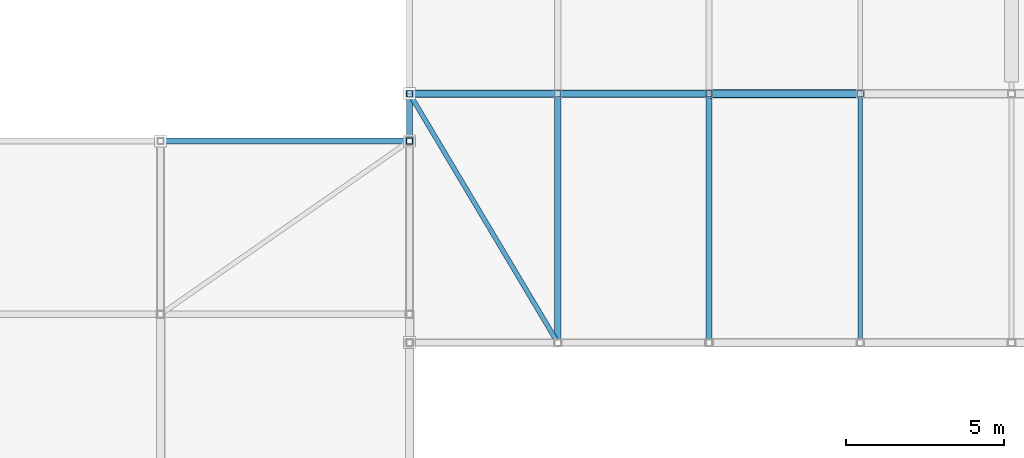
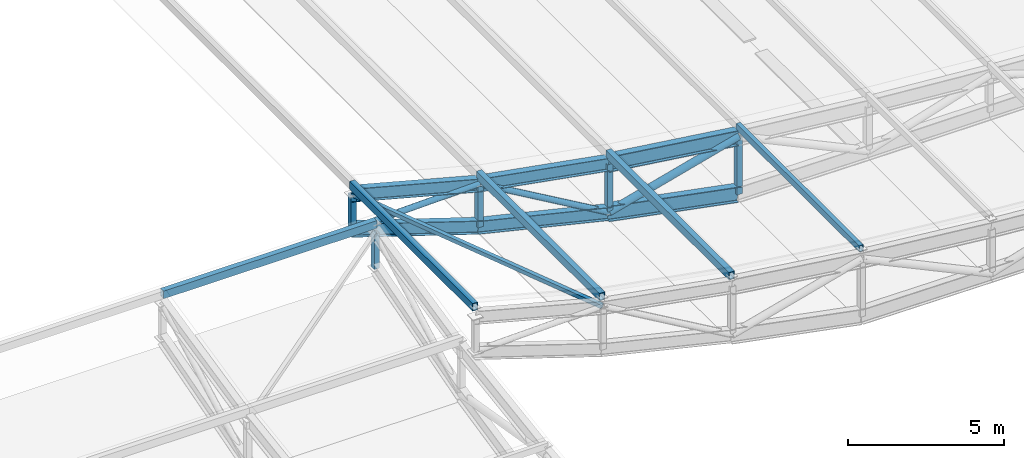
# One storey, part 48 of 114: 14 members, 6 beams.
"""IFC4 building model written with IfcOpenShell, lengths in metres."""

from ifc_helpers import new_model, si_unit, direction, frame, origin, origin_2d, place, context, subcontext, project, spatial, hollow_rectangle, hollow_circle, i_section, extrude, material, material_profile, profile_set, type_object, element, save


model = new_model("IFC4")

# Units and contexts
model_context = context("Model", 3, precision=1e-05, world=origin(), true_north=direction((0.0, 1.0)))
body_context = subcontext(model_context, "Body", "Model", "MODEL_VIEW")
ifc_project = project(units=[si_unit("LENGTHUNIT", "METRE"), si_unit("AREAUNIT", "SQUARE_METRE"), si_unit("VOLUMEUNIT", "CUBIC_METRE"), si_unit("PLANEANGLEUNIT", "RADIAN"), si_unit("MASSUNIT", "GRAM", prefix="KILO"), si_unit("THERMODYNAMICTEMPERATUREUNIT", "KELVIN"), si_unit("POWERUNIT", "WATT")], contexts=[model_context])

# Site, building, storey
site_placement = place(None, origin())
site = spatial("IfcSite", under=ifc_project, at=site_placement, CompositionType="ELEMENT")
building_placement = place(site_placement, origin())
building = spatial("IfcBuilding", under=site, at=building_placement, Name="Sindhuravela Promenade Stadium", CompositionType="ELEMENT")
storey_placement = place(building_placement, frame((0.0, 0.0, 24.0)))
storey = spatial("IfcBuildingStorey", under=building, at=storey_placement, Name="L05", CompositionType="ELEMENT", Elevation=24.0)

# Beams
ifc_material = material(Name="Steel E350 (IS 2062 E350BR)", Category="steel")
ifc_material_profile_1 = material_profile(ifc_material, i_section(OverallWidth=0.25, OverallDepth=0.5, WebThickness=0.010009765625, FlangeThickness=0.0146484375, FilletRadius=0.014892578125, at=origin_2d()), Name="ISWB 500")
ifc_profile_set_1 = profile_set([ifc_material_profile_1], Name="Steel E350 (IS 2062 E350BR)")
beam_type_1 = type_object("IfcBeamType", Name="ST-BM-WB500", PredefinedType="USERDEFINED", material=ifc_profile_set_1)
beam_1_placement = place(storey_placement, frame((170.39990234375, 45.0, 2.889892578125), z_axis=(-0.9842948598662152, 0.0, 0.17653223173388988), x_axis=(0.0, -1.0, 0.0)))
element("IfcBeam", 1, at=beam_1_placement, inside=storey, type_object=beam_type_1, Name="Roof truss RT-E02 top chord 7", ObjectType="ROOF TRUSS", PredefinedType="USERDEFINED", context=body_context, shape_type="SweptSolid", body=[
    extrude(i_section(OverallWidth=0.25, OverallDepth=0.5, WebThickness=0.010009765625, FlangeThickness=0.0146484375, FilletRadius=0.014892578125, at=origin_2d()), origin(), (0.0, 0.0, 1.0), 4.87646484375),
])
beam_2_placement = place(storey_placement, frame((170.39990234375, 45.0, 0.955322265625), z_axis=(-0.9727610703429832, 0.0, 0.23181005160513105), x_axis=(0.0, -1.0, 0.0)))
element("IfcBeam", 2, at=beam_2_placement, inside=storey, type_object=beam_type_1, Name="Roof truss RT-E02 bottom chord 7", ObjectType="ROOF TRUSS", PredefinedType="USERDEFINED", context=body_context, shape_type="SweptSolid", body=[
    extrude(i_section(OverallWidth=0.25, OverallDepth=0.5, WebThickness=0.010009765625, FlangeThickness=0.0146484375, FilletRadius=0.014892578125, at=origin_2d()), origin(), (0.0, 0.0, 1.0), 4.934326171875),
])
beam_3_placement = place(storey_placement, frame((165.60009765625, 45.0, 3.750732421875), z_axis=(-0.9664454134987205, 0.0, 0.2568720746349965), x_axis=(0.0, -1.0, 0.0)))
element("IfcBeam", 3, at=beam_3_placement, inside=storey, type_object=beam_type_1, Name="Roof truss RT-E02 top chord 8", ObjectType="ROOF TRUSS", PredefinedType="USERDEFINED", context=body_context, shape_type="SweptSolid", body=[
    extrude(i_section(OverallWidth=0.25, OverallDepth=0.5, WebThickness=0.010009765625, FlangeThickness=0.0146484375, FilletRadius=0.014892578125, at=origin_2d()), origin(), (0.0, 0.0, 1.0), 4.86328125),
])
beam_4_placement = place(storey_placement, frame((165.60009765625, 45.0, 2.09912109375), z_axis=(-0.951134224020653, 0.0, 0.3087777321903741), x_axis=(0.0, -1.0, 0.0)))
element("IfcBeam", 4, at=beam_4_placement, inside=storey, type_object=beam_type_1, Name="Roof truss RT-E02 bottom chord 8", ObjectType="ROOF TRUSS", PredefinedType="USERDEFINED", context=body_context, shape_type="SweptSolid", body=[
    extrude(i_section(OverallWidth=0.25, OverallDepth=0.5, WebThickness=0.010009765625, FlangeThickness=0.0146484375, FilletRadius=0.014892578125, at=origin_2d()), origin(), (0.0, 0.0, 1.0), 4.941650390625),
])
ifc_material_profile_2 = material_profile(ifc_material, i_section(OverallWidth=0.25, OverallDepth=0.60009765625, WebThickness=0.01171875, FlangeThickness=0.023681640625, FilletRadius=0.01708984375, at=origin_2d()), Name="ISWB 600")
ifc_profile_set_2 = profile_set([ifc_material_profile_2], Name="Steel E350 (IS 2062 E350BR)")
beam_type_2 = type_object("IfcBeamType", Name="ST-BM-WB600", PredefinedType="USERDEFINED", material=ifc_profile_set_2)
beam_5_placement = place(storey_placement, frame((175.199951171875, 45.0, 2.24951171875), z_axis=(-0.9912177706556925, 0.0, 0.1322396730802035), x_axis=(0.0, -1.0, 0.0)))
element("IfcBeam", 5, at=beam_5_placement, inside=storey, type_object=beam_type_2, Name="Roof truss RT-E02 top chord 6", ObjectType="ROOF TRUSS", PredefinedType="USERDEFINED", context=body_context, shape_type="SweptSolid", body=[
    extrude(i_section(OverallWidth=0.25, OverallDepth=0.60009765625, WebThickness=0.01171875, FlangeThickness=0.023681640625, FilletRadius=0.01708984375, at=origin_2d()), origin(), (0.0, 0.0, 1.0), 4.842529296875),
])
beam_6_placement = place(storey_placement, frame((175.199951171875, 45.0, 0.031982421875), z_axis=(-0.9819968269215247, 0.0, 0.18889741108881575), x_axis=(0.0, -1.0, 0.0)))
element("IfcBeam", 6, at=beam_6_placement, inside=storey, type_object=beam_type_2, Name="Roof truss RT-E02 bottom chord 6", ObjectType="ROOF TRUSS", PredefinedType="USERDEFINED", context=body_context, shape_type="SweptSolid", body=[
    extrude(i_section(OverallWidth=0.25, OverallDepth=0.60009765625, WebThickness=0.01171875, FlangeThickness=0.023681640625, FilletRadius=0.01708984375, at=origin_2d()), origin(), (0.0, 0.0, 1.0), 4.887939453125),
])

# Members
ifc_material_profile_3 = material_profile(ifc_material, hollow_circle(Radius=0.109619140625, WallThickness=0.010009765625, at=origin_2d()), Name="CHS 219.1x10")
ifc_profile_set_3 = profile_set([ifc_material_profile_3], Name="Steel E350 (IS 2062 E350BR)")
member_type_1 = type_object("IfcMemberType", Name="ST-MB-CHS219", PredefinedType="BRACE", material=ifc_profile_set_3)
member_1_placement = place(storey_placement, frame((170.39990234375, 45.0, 0.955322265625), z_axis=(-0.8641294101630913, 0.0, 0.5032696717379143), x_axis=(0.0, -1.0, 0.0)))
element("IfcMember", 7, at=member_1_placement, inside=storey, type_object=member_type_1, Name="Roof truss RT-E02 diagonal web 7", PredefinedType="BRACE", context=body_context, shape_type="SweptSolid", body=[
    extrude(hollow_circle(Radius=0.109619140625, WallThickness=0.010009765625, at=origin_2d()), origin(), (0.0, 0.0, 1.0), 5.554443359375),
])
member_2_placement = place(storey_placement, frame((165.60009765625, 45.0, 3.750732421875), z_axis=(-0.9996423981548164, 0.0, -0.02674090146736601), x_axis=(0.0, -1.0, 0.0)))
element("IfcMember", 8, at=member_2_placement, inside=storey, type_object=member_type_1, Name="Roof truss RT-E02 diagonal web 8", PredefinedType="BRACE", context=body_context, shape_type="SweptSolid", body=[
    extrude(hollow_circle(Radius=0.109619140625, WallThickness=0.010009765625, at=origin_2d()), origin(), (0.0, 0.0, 1.0), 4.701904296875),
])
ifc_material_profile_4 = material_profile(ifc_material, hollow_circle(Radius=0.136474609375, WallThickness=0.010009765625, at=origin_2d()), Name="CHS 273.0x10")
ifc_profile_set_4 = profile_set([ifc_material_profile_4], Name="Steel E350 (IS 2062 E350BR)")
member_type_2 = type_object("IfcMemberType", Name="ST-MB-CHS273", PredefinedType="BRACE", material=ifc_profile_set_4)
member_3_placement = place(storey_placement, frame((175.199951171875, 45.0, 2.24951171875), z_axis=(-0.9655213389510635, 0.0, -0.26032392135596294), x_axis=(0.0, -1.0, 0.0)))
element("IfcMember", 9, at=member_3_placement, inside=storey, type_object=member_type_2, Name="Roof truss RT-E02 diagonal web 6", PredefinedType="BRACE", context=body_context, shape_type="SweptSolid", body=[
    extrude(hollow_circle(Radius=0.136474609375, WallThickness=0.010009765625, at=origin_2d()), origin(), (0.0, 0.0, 1.0), 4.971435546875),
])
ifc_material_profile_5 = material_profile(ifc_material, hollow_rectangle(XDim=0.14990234375, YDim=0.25, WallThickness=0.010009765625, at=origin_2d()), Name="RHS 250x150x10")
ifc_profile_set_5 = profile_set([ifc_material_profile_5], Name="Steel E350 (IS 2062 E350BR)")
member_type_3 = type_object("IfcMemberType", Name="ST-MB-RHS250", PredefinedType="PURLIN", material=ifc_profile_set_5)
member_4_placement = place(storey_placement, frame((175.199951171875, 37.10009765625, 2.641357421875), z_axis=(0.0, 1.0, 0.0), x_axis=(-1.0, 0.0, 0.0)))
element("IfcMember", 10, at=member_4_placement, inside=storey, type_object=member_type_3, Name="Roof purlin PR01 E bay 1.6", PredefinedType="PURLIN", context=body_context, shape_type="SweptSolid", body=[
    extrude(hollow_rectangle(XDim=0.14990234375, YDim=0.25, WallThickness=0.010009765625, at=origin_2d()), origin(), (0.0, 0.0, 1.0), 7.89990234375),
])
ifc_material_profile_6 = material_profile(ifc_material, hollow_rectangle(XDim=0.199951171875, YDim=0.300048828125, WallThickness=0.010009765625, at=origin_2d()), Name="RHS 300x200x10")
ifc_profile_set_6 = profile_set([ifc_material_profile_6], Name="Steel E350 (IS 2062 E350BR)")
member_type_4 = type_object("IfcMemberType", Name="ST-MB-RHS300", PredefinedType="PURLIN", material=ifc_profile_set_6)
for number, where, z_axis, x_axis, name in (
    (11, (170.39990234375, 37.10009765625, 3.2568359375), (0.0, 1.0, 0.0), (-1.0, 0.0, 0.0), "Roof purlin PR02 E bay 1.7"),
    (12, (165.60009765625, 37.10009765625, 4.117919921875), (0.0, 1.0, 0.0), (-1.0, 0.0, 0.0), "Roof purlin PR02 E bay 1.8"),
    (13, (160.89990234375, 37.10009765625, 5.366943359375), (0.0, 1.0, 0.0), (-1.0, 0.0, 0.0), "Roof purlin PR02 E bay 1.9"),
    (14, (153.0, 43.5, 4.76708984375), (1.0, 0.0, 0.0), (0.0, 1.0, 0.0), "Roof purlin PR02 S bay 8.6"),
):
    element("IfcMember", number, at=place(storey_placement, frame(where, z_axis=z_axis, x_axis=x_axis)), inside=storey, type_object=member_type_4, Name=name, PredefinedType="PURLIN", context=body_context, shape_type="SweptSolid", body=[
        extrude(hollow_rectangle(XDim=0.199951171875, YDim=0.300048828125, WallThickness=0.010009765625, at=origin_2d()), origin(), (0.0, 0.0, 1.0), 7.89990234375),
    ])
ifc_material_profile_7 = material_profile(ifc_material, hollow_rectangle(XDim=0.14990234375, YDim=0.14990234375, WallThickness=0.008056640625, at=origin_2d()), Name="SHS 150x150x8")
ifc_profile_set_7 = profile_set([ifc_material_profile_7], Name="Steel E350 (IS 2062 E350BR)")
member_type_5 = type_object("IfcMemberType", Name="ST-MB-SHS150", PredefinedType="BRACE", material=ifc_profile_set_7)
member_5_placement = place(storey_placement, frame((165.60009765625, 37.10009765625, 3.750732421875), z_axis=(-0.506655551444734, 0.8515666078147051, 0.13466426640051443), x_axis=(-0.8593945896502115, -0.5113129562997055, 0.0)))
element("IfcMember", 15, at=member_5_placement, inside=storey, type_object=member_type_5, Name="Roof wind brace MB01 E bay 1", PredefinedType="BRACE", context=body_context, shape_type="SweptSolid", body=[
    extrude(hollow_rectangle(XDim=0.14990234375, YDim=0.14990234375, WallThickness=0.008056640625, at=origin_2d()), origin(), (0.0, 0.0, 1.0), 9.27685546875),
])
ifc_material_profile_8 = material_profile(ifc_material, hollow_rectangle(XDim=0.199951171875, YDim=0.199951171875, WallThickness=0.010009765625, at=origin_2d()), Name="SHS 200x200x10")
ifc_profile_set_8 = profile_set([ifc_material_profile_8], Name="Steel E350 (IS 2062 E350BR)")
member_type_6 = type_object("IfcMemberType", Name="ST-MB-SHS200", PredefinedType="POST", material=ifc_profile_set_8)
member_6_placement = place(storey_placement, frame((175.199951171875, 45.0, 0.031982421875), z_axis=(0.0, 0.0, 1.0), x_axis=(1.0, 0.0, 0.0)))
element("IfcMember", 16, at=member_6_placement, inside=storey, type_object=member_type_6, Name="Roof truss RT-E02 vertical post 6", PredefinedType="POST", context=body_context, shape_type="SweptSolid", body=[
    extrude(hollow_rectangle(XDim=0.199951171875, YDim=0.199951171875, WallThickness=0.010009765625, at=origin_2d()), origin(), (0.0, 0.0, 1.0), 2.217529296875),
])
member_7_placement = place(storey_placement, frame((170.39990234375, 45.0, 0.955322265625), z_axis=(0.0, 0.0, 1.0), x_axis=(1.0, 0.0, 0.0)))
element("IfcMember", 17, at=member_7_placement, inside=storey, type_object=member_type_6, Name="Roof truss RT-E02 vertical post 7", PredefinedType="POST", context=body_context, shape_type="SweptSolid", body=[
    extrude(hollow_rectangle(XDim=0.199951171875, YDim=0.199951171875, WallThickness=0.010009765625, at=origin_2d()), origin(), (0.0, 0.0, 1.0), 1.9345703125),
])
member_8_placement = place(storey_placement, frame((165.60009765625, 45.0, 2.09912109375), z_axis=(0.0, 0.0, 1.0), x_axis=(1.0, 0.0, 0.0)))
element("IfcMember", 18, at=member_8_placement, inside=storey, type_object=member_type_6, Name="Roof truss RT-E02 vertical post 8", PredefinedType="POST", context=body_context, shape_type="SweptSolid", body=[
    extrude(hollow_rectangle(XDim=0.199951171875, YDim=0.199951171875, WallThickness=0.010009765625, at=origin_2d()), origin(), (0.0, 0.0, 1.0), 1.651611328125),
])
for number, where, z_axis, x_axis, name in (
    (19, (160.89990234375, 45.0, 3.625), (0.0, 0.0, 1.0), (1.0, 0.0, 0.0), "Roof truss RT-E02 vertical post 9"),
    (20, (160.89990234375, 43.5, 3.02490234375), (0.0, 0.0, 1.0), (1.0, 0.0, 0.0), "Roof truss RT-S09 vertical post 6"),
):
    element("IfcMember", number, at=place(storey_placement, frame(where, z_axis=z_axis, x_axis=x_axis)), inside=storey, type_object=member_type_6, Name=name, PredefinedType="POST", context=body_context, shape_type="SweptSolid", body=[
        extrude(hollow_rectangle(XDim=0.199951171875, YDim=0.199951171875, WallThickness=0.010009765625, at=origin_2d()), origin(), (0.0, 0.0, 1.0), 1.375),
    ])

save(model, "model.ifc")
